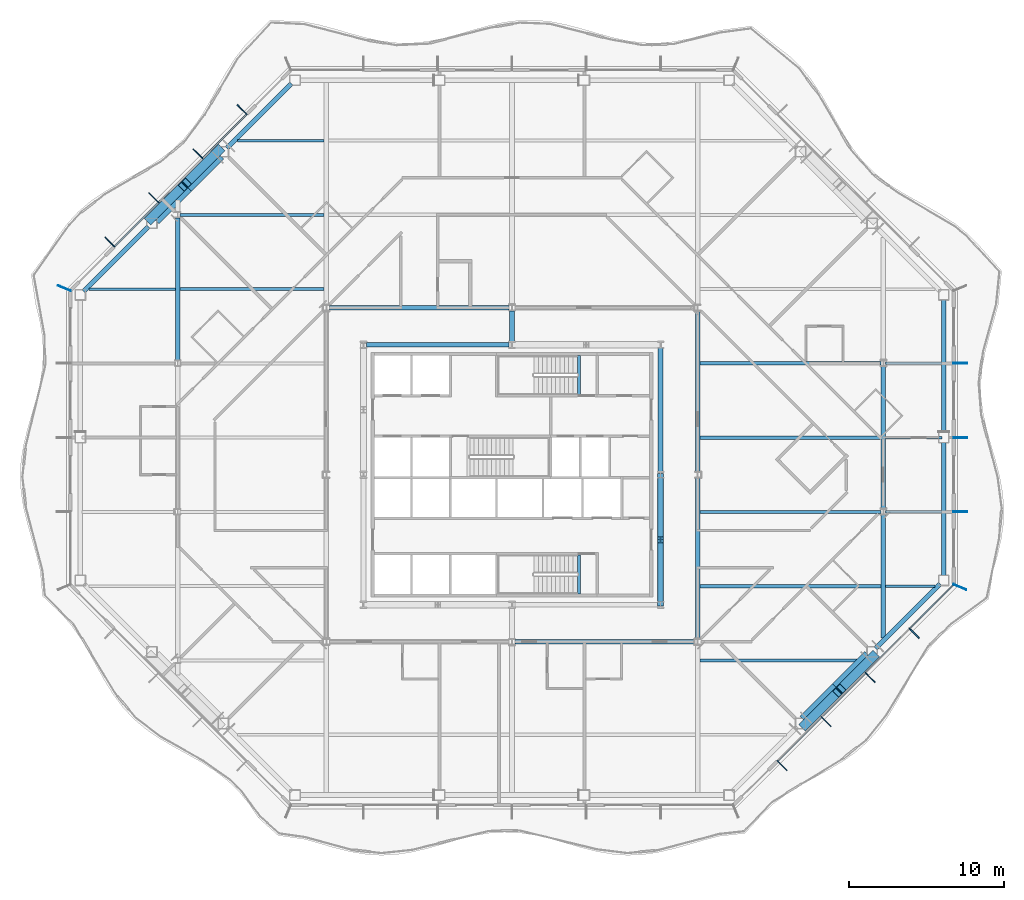
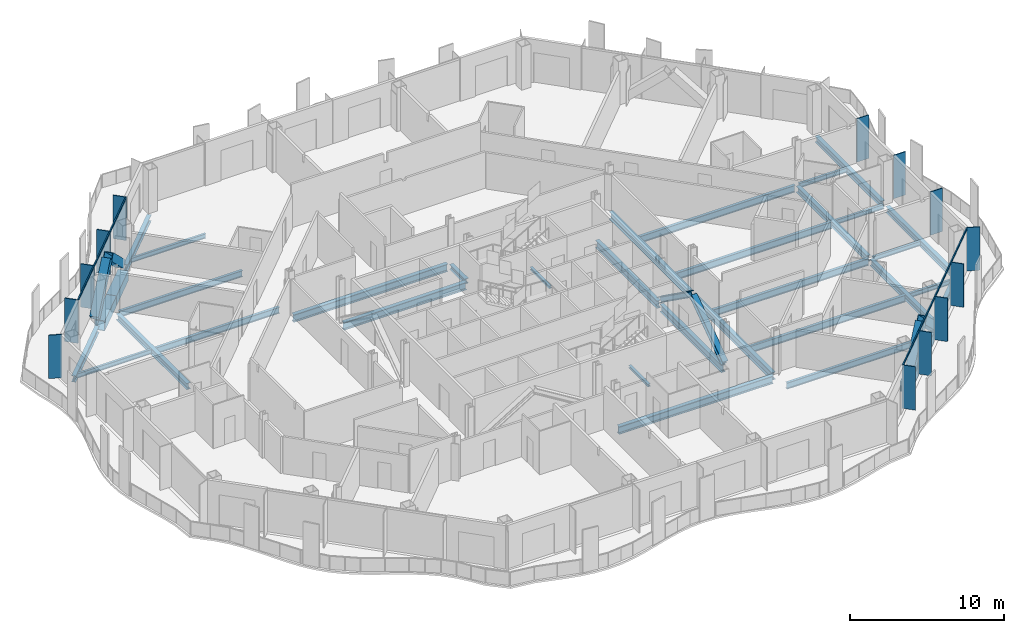
# One storey, part 4 of 21: 35 beams, 26 members, 4 elements without a shape of their own.
"""IFC4 building model written with IfcOpenShell, lengths in metres."""

from ifc_helpers import new_model, si_unit, direction, frame, origin, origin_2d, place, context, subcontext, project, spatial, rectangle, hollow_rectangle, i_section, extrude, material, material_profile, profile_set, type_object, element, aggregate, save


model = new_model("IFC4")

# Units and contexts
model_context = context("Model", 3, precision=1e-05, world=origin(), true_north=direction((0.0, 1.0)))
body_context = subcontext(model_context, "Body", "Model", "MODEL_VIEW")
ifc_project = project(units=[si_unit("LENGTHUNIT", "METRE"), si_unit("AREAUNIT", "SQUARE_METRE"), si_unit("VOLUMEUNIT", "CUBIC_METRE"), si_unit("PLANEANGLEUNIT", "RADIAN"), si_unit("MASSUNIT", "GRAM", prefix="KILO")], contexts=[model_context])

# Site, building, storey
site_placement = place(None, origin())
site = spatial("IfcSite", under=ifc_project, at=site_placement, CompositionType="ELEMENT")
building_placement = place(site_placement, origin())
building = spatial("IfcBuilding", under=site, at=building_placement, Name="Cairn Pilgrim Tower", CompositionType="ELEMENT")
storey_placement = place(building_placement, frame((0.0, 0.0, 129.0)))
storey = spatial("IfcBuildingStorey", under=building, at=storey_placement, Name="L31", CompositionType="ELEMENT", Elevation=129.0)

# Members
ifc_material_1 = material(Name="Structural steel S460M", Category="steel")
ifc_material_profile_1 = material_profile(ifc_material_1, hollow_rectangle(XDim=0.60009765625, YDim=0.60009765625, WallThickness=0.034912109375, at=origin_2d()), Name="BOX 600x600x35")
ifc_profile_set_1 = profile_set([ifc_material_profile_1], Name="Structural steel S460M")
member_type_1 = type_object("IfcMemberType", Name="BOX 600x600x35 BRACE", PredefinedType="BRACE", material=ifc_profile_set_1)
for number, where, z_axis, x_axis, name in (
    (1, (26.08837890625, -13.813720703125, 0.14990234375), (0.535555986925, 0.535555986925, 0.652962150311), (-0.707106781187, 0.707106781187, 0.0), "XB-SE2-SE3-1"),
    (2, (30.613525390625, -9.288330078125, 0.14990234375), (-0.535512846393, -0.535573335815, 0.652983302476), (0.707146713802, -0.707066846316, 0.0), "XB-SE2-SE3-2"),
):
    element("IfcMember", number, at=place(storey_placement, frame(where, z_axis=z_axis, x_axis=x_axis)), inside=storey, type_object=member_type_1, Name=name, PredefinedType="BRACE", context=body_context, shape_type="SweptSolid", body=[
        extrude(hollow_rectangle(XDim=0.60009765625, YDim=0.60009765625, WallThickness=0.034912109375, at=origin_2d()), origin(), (0.0, 0.0, 1.0), 4.0361328125),
    ])
member_1_placement = place(storey_placement, frame((-11.6884765625, 23.41357421875, 0.14990234375), z_axis=(-0.53553019501, -0.53553019501, 0.653004456696), x_axis=(0.707106781187, -0.707106781187, 0.0)))
element("IfcMember", 3, at=member_1_placement, inside=storey, type_object=member_type_1, Name="XB-NW2-NW3-1", PredefinedType="BRACE", context=body_context, shape_type="SweptSolid", body=[
    extrude(hollow_rectangle(XDim=0.60009765625, YDim=0.60009765625, WallThickness=0.034912109375, at=origin_2d()), origin(), (0.0, 0.0, 1.0), 4.035888671875),
])
member_2_placement = place(storey_placement, frame((-16.213623046875, 18.888427734375, 0.14990234375), z_axis=(0.535573335815, 0.535512846393, 0.652983302476), x_axis=(-0.707066846316, 0.707146713802, 0.0)))
element("IfcMember", 4, at=member_2_placement, inside=storey, type_object=member_type_1, Name="XB-NW2-NW3-2", PredefinedType="BRACE", context=body_context, shape_type="SweptSolid", body=[
    extrude(hollow_rectangle(XDim=0.60009765625, YDim=0.60009765625, WallThickness=0.034912109375, at=origin_2d()), origin(), (0.0, 0.0, 1.0), 4.0361328125),
])

# Beams
ifc_material_2 = material(Name="Structural steel S355J2", Category="steel")
ifc_material_profile_2 = material_profile(ifc_material_2, hollow_rectangle(XDim=0.699951171875, YDim=0.800048828125, WallThickness=0.0400390625, at=origin_2d()), Name="BOX 700x800x40")
ifc_profile_set_2 = profile_set([ifc_material_profile_2], Name="Structural steel S355J2")
beam_type_1 = type_object("IfcBeamType", Name="BOX 700x800x40 RING GIRDER", PredefinedType="SPANDREL", material=ifc_profile_set_2)
for number, where, z_axis, x_axis, name in (
    (5, (26.07421875, -13.452880859375, -0.550048828125), (0.707106781187, 0.707106781187, 0.0), (-0.707106781187, 0.707106781187, 0.0), "RG2-SE2-SE3-1"),
    (6, (28.16357421875, -11.363525390625, -0.550048828125), (0.707106781187, 0.707106781187, 0.0), (-0.707106781187, 0.707106781187, 0.0), "RG2-SE2-SE3-2"),
    (7, (-11.67431640625, 23.052978515625, -0.550048828125), (-0.707106781187, -0.707106781187, 0.0), (0.707106781187, -0.707106781187, 0.0), "RG2-NW2-NW3-1"),
    (8, (-13.763671875, 20.963623046875, -0.550048828125), (-0.707106781187, -0.707106781187, 0.0), (0.707106781187, -0.707106781187, 0.0), "RG2-NW2-NW3-2"),
):
    element("IfcBeam", number, at=place(storey_placement, frame(where, z_axis=z_axis, x_axis=x_axis)), inside=storey, type_object=beam_type_1, Name=name, PredefinedType="SPANDREL", context=body_context, shape_type="SweptSolid", body=[
        extrude(hollow_rectangle(XDim=0.699951171875, YDim=0.800048828125, WallThickness=0.0400390625, at=origin_2d()), origin(), (0.0, 0.0, 1.0), 2.954833984375),
    ])

# Curtain wall, members
ifc_material_3 = material(Name="Aluminium alloy 6063-T6 bronze anodised with Bronze tinted laminated low-E glass 8+16+8.8", Category="aluminium")
curtain_wall_type_1 = type_object("IfcCurtainWallType", Name="CHAMFER CORNER CURTAIN WALL", PredefinedType="NOTDEFINED", material=ifc_material_3)
curtain_wall_1_placement = place(storey_placement, origin())
curtain_wall_1 = element("IfcCurtainWall", 9, at=curtain_wall_1_placement, inside=storey, type_object=curtain_wall_type_1, Name="Chamfer Corner Curtain Wall SE", PredefinedType="NOTDEFINED")
ifc_material_4 = material(Name="Aluminium alloy 6063-T6 bronze anodised", Category="aluminium")
ifc_material_profile_3 = material_profile(ifc_material_4, rectangle(XDim=0.89990234375, YDim=0.06005859375, at=origin_2d()), Name="FIN MULLION 60x900 BRONZE")
ifc_profile_set_3 = profile_set([ifc_material_profile_3], Name="Aluminium alloy 6063-T6 bronze anodised")
member_type_2 = type_object("IfcMemberType", Name="FIN MULLION 60x900 BRONZE", PredefinedType="MULLION", material=ifc_profile_set_3)
member_3_placement = place(storey_placement, frame((24.64404296875, -16.396240234375, 0.0), z_axis=(0.0, 0.0, 1.0), x_axis=(0.707106781187, -0.707106781187, 0.0)))
member_3 = element("IfcMember", 10, at=member_3_placement, type_object=member_type_2, Name="Fin mullion SE2", PredefinedType="MULLION", context=body_context, shape_type="SweptSolid", body=[
    extrude(rectangle(XDim=0.89990234375, YDim=0.06005859375, at=origin_2d()), origin(), (0.0, 0.0, 1.0), 3.449951171875),
])
member_4_placement = place(storey_placement, frame((27.494873046875, -13.545654296875, 0.0), z_axis=(0.0, 0.0, 1.0), x_axis=(0.707106781187, -0.707106781187, 0.0)))
member_4 = element("IfcMember", 11, at=member_4_placement, type_object=member_type_2, Name="Fin mullion SE3", PredefinedType="MULLION", context=body_context, shape_type="SweptSolid", body=[
    extrude(rectangle(XDim=0.89990234375, YDim=0.06005859375, at=origin_2d()), origin(), (0.0, 0.0, 1.0), 3.449951171875),
])
member_5_placement = place(storey_placement, frame((30.345458984375, -10.69482421875, 0.0), z_axis=(0.0, 0.0, 1.0), x_axis=(0.707106781187, -0.707106781187, 0.0)))
member_5 = element("IfcMember", 12, at=member_5_placement, type_object=member_type_2, Name="Fin mullion SE4", PredefinedType="MULLION", context=body_context, shape_type="SweptSolid", body=[
    extrude(rectangle(XDim=0.89990234375, YDim=0.06005859375, at=origin_2d()), origin(), (0.0, 0.0, 1.0), 3.449951171875),
])
member_6_placement = place(storey_placement, frame((33.1962890625, -7.84423828125, 0.0), z_axis=(0.0, 0.0, 1.0), x_axis=(0.707106781187, -0.707106781187, 0.0)))
member_6 = element("IfcMember", 13, at=member_6_placement, type_object=member_type_2, Name="Fin mullion SE5", PredefinedType="MULLION", context=body_context, shape_type="SweptSolid", body=[
    extrude(rectangle(XDim=0.89990234375, YDim=0.06005859375, at=origin_2d()), origin(), (0.0, 0.0, 1.0), 3.449951171875),
])

curtain_wall_type_2 = type_object("IfcCurtainWallType", Name="TOWER STICK CURTAIN WALL EW", PredefinedType="NOTDEFINED", material=ifc_material_3)
curtain_wall_2_placement = place(storey_placement, origin())
curtain_wall_2 = element("IfcCurtainWall", 14, at=curtain_wall_2_placement, inside=storey, type_object=curtain_wall_type_2, Name="Tower Stick Curtain Wall Ew E", PredefinedType="NOTDEFINED")
member_7_placement = place(storey_placement, frame((36.137939453125, -4.857177734375, 0.0), z_axis=(0.0, 0.0, 1.0), x_axis=(0.923879532511, -0.382683432365, 0.0)))
member_7 = element("IfcMember", 15, at=member_7_placement, type_object=member_type_2, Name="Fin mullion E1", PredefinedType="MULLION", context=body_context, shape_type="SweptSolid", body=[
    extrude(rectangle(XDim=0.89990234375, YDim=0.06005859375, at=origin_2d()), origin(), (0.0, 0.0, 1.0), 3.449951171875),
])
member_8_placement = place(storey_placement, frame((36.169921875, 0.0, 0.0), z_axis=(0.0, 0.0, 1.0), x_axis=(1.0, 0.0, 0.0)))
member_8 = element("IfcMember", 16, at=member_8_placement, type_object=member_type_2, Name="Fin mullion E2", PredefinedType="MULLION", context=body_context, shape_type="SweptSolid", body=[
    extrude(rectangle(XDim=0.89990234375, YDim=0.06005859375, at=origin_2d()), origin(), (0.0, 0.0, 1.0), 3.449951171875),
])
member_9_placement = place(storey_placement, frame((36.169921875, 4.800048828125, 0.0), z_axis=(0.0, 0.0, 1.0), x_axis=(1.0, 0.0, 0.0)))
member_9 = element("IfcMember", 17, at=member_9_placement, type_object=member_type_2, Name="Fin mullion E3", PredefinedType="MULLION", context=body_context, shape_type="SweptSolid", body=[
    extrude(rectangle(XDim=0.89990234375, YDim=0.06005859375, at=origin_2d()), origin(), (0.0, 0.0, 1.0), 3.449951171875),
])
member_10_placement = place(storey_placement, frame((36.169921875, 9.60009765625, 0.0), z_axis=(0.0, 0.0, 1.0), x_axis=(1.0, 0.0, 0.0)))
member_10 = element("IfcMember", 18, at=member_10_placement, type_object=member_type_2, Name="Fin mullion E4", PredefinedType="MULLION", context=body_context, shape_type="SweptSolid", body=[
    extrude(rectangle(XDim=0.89990234375, YDim=0.06005859375, at=origin_2d()), origin(), (0.0, 0.0, 1.0), 3.449951171875),
])
aggregate(curtain_wall_2, [member_7, member_8, member_9, member_10])

curtain_wall_3_placement = place(storey_placement, origin())
curtain_wall_3 = element("IfcCurtainWall", 19, at=curtain_wall_3_placement, inside=storey, type_object=curtain_wall_type_1, Name="Chamfer Corner Curtain Wall NW", PredefinedType="NOTDEFINED")
member_11_placement = place(storey_placement, frame((-10.244140625, 25.996337890625, 0.0), z_axis=(0.0, 0.0, 1.0), x_axis=(-0.707106781187, 0.707106781187, 0.0)))
member_11 = element("IfcMember", 20, at=member_11_placement, type_object=member_type_2, Name="Fin mullion NW2", PredefinedType="MULLION", context=body_context, shape_type="SweptSolid", body=[
    extrude(rectangle(XDim=0.89990234375, YDim=0.06005859375, at=origin_2d()), origin(), (0.0, 0.0, 1.0), 3.449951171875),
])
member_12_placement = place(storey_placement, frame((-13.094970703125, 23.1455078125, 0.0), z_axis=(0.0, 0.0, 1.0), x_axis=(-0.707106781187, 0.707106781187, 0.0)))
member_12 = element("IfcMember", 21, at=member_12_placement, type_object=member_type_2, Name="Fin mullion NW3", PredefinedType="MULLION", context=body_context, shape_type="SweptSolid", body=[
    extrude(rectangle(XDim=0.89990234375, YDim=0.06005859375, at=origin_2d()), origin(), (0.0, 0.0, 1.0), 3.449951171875),
])
member_13_placement = place(storey_placement, frame((-15.945556640625, 20.294921875, 0.0), z_axis=(0.0, 0.0, 1.0), x_axis=(-0.707106781187, 0.707106781187, 0.0)))
member_13 = element("IfcMember", 22, at=member_13_placement, type_object=member_type_2, Name="Fin mullion NW4", PredefinedType="MULLION", context=body_context, shape_type="SweptSolid", body=[
    extrude(rectangle(XDim=0.89990234375, YDim=0.06005859375, at=origin_2d()), origin(), (0.0, 0.0, 1.0), 3.449951171875),
])
member_14_placement = place(storey_placement, frame((-18.79638671875, 17.444091796875, 0.0), z_axis=(0.0, 0.0, 1.0), x_axis=(-0.707106781187, 0.707106781187, 0.0)))
member_14 = element("IfcMember", 23, at=member_14_placement, type_object=member_type_2, Name="Fin mullion NW5", PredefinedType="MULLION", context=body_context, shape_type="SweptSolid", body=[
    extrude(rectangle(XDim=0.89990234375, YDim=0.06005859375, at=origin_2d()), origin(), (0.0, 0.0, 1.0), 3.449951171875),
])

# Curtain wall, member
curtain_wall_4_placement = place(storey_placement, origin())
curtain_wall_4 = element("IfcCurtainWall", 24, at=curtain_wall_4_placement, inside=storey, type_object=curtain_wall_type_2, Name="Tower Stick Curtain Wall Ew W", PredefinedType="NOTDEFINED")
member_15_placement = place(storey_placement, frame((-21.738037109375, 14.457275390625, 0.0), z_axis=(0.0, 0.0, 1.0), x_axis=(-0.923879532511, 0.382683432365, 0.0)))
member_15 = element("IfcMember", 25, at=member_15_placement, type_object=member_type_2, Name="Fin mullion W1", PredefinedType="MULLION", context=body_context, shape_type="SweptSolid", body=[
    extrude(rectangle(XDim=0.89990234375, YDim=0.06005859375, at=origin_2d()), origin(), (0.0, 0.0, 1.0), 3.449951171875),
])
aggregate(curtain_wall_4, [member_15])

# Members
ifc_material_profile_4 = material_profile(ifc_material_1, i_section(OverallWidth=0.408935546875, OverallDepth=0.425048828125, WebThickness=0.03271484375, FlangeThickness=0.052490234375, FilletRadius=0.014892578125, at=origin_2d()), Name="HD 400x421")
ifc_profile_set_4 = profile_set([ifc_material_profile_4], Name="Structural steel S460M")
member_type_3 = type_object("IfcMemberType", Name="HD 400x421 BRACE", PredefinedType="BRACE", material=ifc_profile_set_4)
for number, where, z_axis, x_axis, name in (
    (26, (16.800048828125, -5.95751953125, 0.10009765625), (0.0, 0.814281054922, 0.58047081201), (-1.0, 0.0, 0.0), "KB-2A"),
    (27, (16.800048828125, 2.357666015625, 0.10009765625), (0.0, -0.814281054922, 0.58047081201), (1.0, 0.0, 0.0), "KB-2B"),
):
    element("IfcMember", number, at=place(storey_placement, frame(where, z_axis=z_axis, x_axis=x_axis)), inside=storey, type_object=member_type_3, Name=name, PredefinedType="BRACE", context=body_context, shape_type="SweptSolid", body=[
        extrude(i_section(OverallWidth=0.408935546875, OverallDepth=0.425048828125, WebThickness=0.03271484375, FlangeThickness=0.052490234375, FilletRadius=0.014892578125, at=origin_2d()), origin(), (0.0, 0.0, 1.0), 4.99755859375),
    ])

# Beams
ifc_material_profile_5 = material_profile(ifc_material_2, i_section(OverallWidth=0.300048828125, OverallDepth=0.39990234375, WebThickness=0.013427734375, FlangeThickness=0.02392578125, FilletRadius=0.027099609375, at=origin_2d()), Name="HEB 400")
ifc_profile_set_5 = profile_set([ifc_material_profile_5], Name="Structural steel S355J2")
beam_type_2 = type_object("IfcBeamType", Name="HEB 400 GIRDER", PredefinedType="BEAM", material=ifc_profile_set_5)
beam_1_placement = place(storey_placement, frame((7.199951171875, 11.011962890625, -0.35009765625), z_axis=(0.0, 1.0, 0.0), x_axis=(-1.0, 0.0, 0.0)))
element("IfcBeam", 28, at=beam_1_placement, inside=storey, type_object=beam_type_2, Name="PG3-E2", PredefinedType="BEAM", context=body_context, shape_type="SweptSolid", body=[
    extrude(i_section(OverallWidth=0.300048828125, OverallDepth=0.39990234375, WebThickness=0.013427734375, FlangeThickness=0.02392578125, FilletRadius=0.027099609375, at=origin_2d()), origin(), (0.0, 0.0, 1.0), 1.983642578125),
])
ifc_material_profile_6 = material_profile(ifc_material_2, i_section(OverallWidth=0.300048828125, OverallDepth=0.5, WebThickness=0.014404296875, FlangeThickness=0.028076171875, FilletRadius=0.027099609375, at=origin_2d()), Name="HEB 500")
ifc_profile_set_6 = profile_set([ifc_material_profile_6], Name="Structural steel S355J2")
beam_type_3 = type_object("IfcBeamType", Name="HEB 500 GIRDER", PredefinedType="BEAM", material=ifc_profile_set_6)
beam_2_placement = place(storey_placement, frame((-14.39990234375, 9.799560546875, -0.39990234375), z_axis=(0.0, 1.0, 0.0), x_axis=(-1.0, 0.0, 0.0)))
element("IfcBeam", 29, at=beam_2_placement, inside=storey, type_object=beam_type_3, Name="PG1-3", PredefinedType="BEAM", context=body_context, shape_type="SweptSolid", body=[
    extrude(i_section(OverallWidth=0.300048828125, OverallDepth=0.5, WebThickness=0.014404296875, FlangeThickness=0.028076171875, FilletRadius=0.027099609375, at=origin_2d()), origin(), (0.0, 0.0, 1.0), 9.200927734375),
])
beam_3_placement = place(storey_placement, frame((31.199951171875, -8.14501953125, -0.39990234375), z_axis=(0.0, 1.0, 0.0), x_axis=(-1.0, 0.0, 0.0)))
element("IfcBeam", 30, at=beam_3_placement, inside=storey, type_object=beam_type_3, Name="PG5-1", PredefinedType="BEAM", context=body_context, shape_type="SweptSolid", body=[
    extrude(i_section(OverallWidth=0.300048828125, OverallDepth=0.5, WebThickness=0.014404296875, FlangeThickness=0.028076171875, FilletRadius=0.027099609375, at=origin_2d()), origin(), (0.0, 0.0, 1.0), 7.9404296875),
])
beam_4_placement = place(storey_placement, frame((31.199951171875, 0.20458984375, -0.39990234375), z_axis=(0.0, 1.0, 0.0), x_axis=(-1.0, 0.0, 0.0)))
element("IfcBeam", 31, at=beam_4_placement, inside=storey, type_object=beam_type_3, Name="PG5-2", PredefinedType="BEAM", context=body_context, shape_type="SweptSolid", body=[
    extrude(i_section(OverallWidth=0.300048828125, OverallDepth=0.5, WebThickness=0.014404296875, FlangeThickness=0.028076171875, FilletRadius=0.027099609375, at=origin_2d()), origin(), (0.0, 0.0, 1.0), 9.19091796875),
])
ifc_material_profile_7 = material_profile(ifc_material_2, i_section(OverallWidth=0.300048828125, OverallDepth=0.5, WebThickness=0.014404296875, FlangeThickness=0.028076171875, FilletRadius=0.027099609375, at=origin_2d()), Name="HEB 500")
ifc_profile_set_7 = profile_set([ifc_material_profile_7], Name="Structural steel S355J2")
beam_type_4 = type_object("IfcBeamType", Name="HEB 500 RING GIRDER", PredefinedType="SPANDREL", material=ifc_profile_set_7)
beam_5_placement = place(storey_placement, frame((30.698486328125, -8.82861328125, -0.39990234375), z_axis=(0.707106781187, 0.707106781187, 0.0), x_axis=(-0.707106781187, 0.707106781187, 0.0)))
element("IfcBeam", 32, at=beam_5_placement, inside=storey, type_object=beam_type_4, Name="RG2-SE3-E1", PredefinedType="SPANDREL", context=body_context, shape_type="SweptSolid", body=[
    extrude(i_section(OverallWidth=0.300048828125, OverallDepth=0.5, WebThickness=0.014404296875, FlangeThickness=0.028076171875, FilletRadius=0.027099609375, at=origin_2d()), origin(), (0.0, 0.0, 1.0), 5.90966796875),
])
beam_6_placement = place(storey_placement, frame((35.10009765625, -4.1123046875, -0.39990234375), z_axis=(0.0, 1.0, 0.0), x_axis=(-1.0, 0.0, 0.0)))
element("IfcBeam", 33, at=beam_6_placement, inside=storey, type_object=beam_type_4, Name="RG2-E1-E2", PredefinedType="SPANDREL", context=body_context, shape_type="SweptSolid", body=[
    extrude(i_section(OverallWidth=0.300048828125, OverallDepth=0.5, WebThickness=0.014404296875, FlangeThickness=0.028076171875, FilletRadius=0.027099609375, at=origin_2d()), origin(), (0.0, 0.0, 1.0), 8.597412109375),
])
beam_7_placement = place(storey_placement, frame((35.10009765625, 5.114990234375, -0.39990234375), z_axis=(0.0, 1.0, 0.0), x_axis=(-1.0, 0.0, 0.0)))
element("IfcBeam", 34, at=beam_7_placement, inside=storey, type_object=beam_type_4, Name="RG2-E2-NE1", PredefinedType="SPANDREL", context=body_context, shape_type="SweptSolid", body=[
    extrude(i_section(OverallWidth=0.300048828125, OverallDepth=0.5, WebThickness=0.014404296875, FlangeThickness=0.028076171875, FilletRadius=0.027099609375, at=origin_2d()), origin(), (0.0, 0.0, 1.0), 8.59716796875),
])
for number, where, z_axis, x_axis, name in (
    (35, (-7.0498046875, 27.67724609375, -0.39990234375), (-0.707127436591, -0.707086125179, 0.0), (0.707086125179, -0.707127436591, 0.0), "RG2-NW1-NW2"),
    (36, (-16.298583984375, 18.4287109375, -0.39990234375), (-0.707106781187, -0.707106781187, 0.0), (0.707106781187, -0.707106781187, 0.0), "RG2-NW3-W1"),
):
    element("IfcBeam", number, at=place(storey_placement, frame(where, z_axis=z_axis, x_axis=x_axis)), inside=storey, type_object=beam_type_4, Name=name, PredefinedType="SPANDREL", context=body_context, shape_type="SweptSolid", body=[
        extrude(i_section(OverallWidth=0.300048828125, OverallDepth=0.5, WebThickness=0.014404296875, FlangeThickness=0.028076171875, FilletRadius=0.027099609375, at=origin_2d()), origin(), (0.0, 0.0, 1.0), 5.90966796875),
    ])
ifc_material_profile_8 = material_profile(ifc_material_2, i_section(OverallWidth=0.300048828125, OverallDepth=0.60009765625, WebThickness=0.015380859375, FlangeThickness=0.030029296875, FilletRadius=0.027099609375, at=origin_2d()), Name="HEB 600")
ifc_profile_set_8 = profile_set([ifc_material_profile_8], Name="Structural steel S355J2")
beam_type_5 = type_object("IfcBeamType", Name="HEB 600 CORE BEAM", PredefinedType="BEAM", material=ifc_profile_set_8)
for number, where, z_axis, x_axis, name in (
    (37, (16.800048828125, -5.80908203125, -0.449951171875), (0.0, 1.0, 0.0), (-1.0, 0.0, 0.0), "CB-3"),
    (38, (16.800048828125, 2.5908203125, -0.449951171875), (0.0, 1.0, 0.0), (-1.0, 0.0, 0.0), "CB-4"),
):
    element("IfcBeam", number, at=place(storey_placement, frame(where, z_axis=z_axis, x_axis=x_axis)), inside=storey, type_object=beam_type_5, Name=name, PredefinedType="BEAM", context=body_context, shape_type="SweptSolid", body=[
        extrude(i_section(OverallWidth=0.300048828125, OverallDepth=0.60009765625, WebThickness=0.015380859375, FlangeThickness=0.030029296875, FilletRadius=0.027099609375, at=origin_2d()), origin(), (0.0, 0.0, 1.0), 8.018310546875),
    ])
beam_8_placement = place(storey_placement, frame((7.00927734375, 10.800048828125, -0.449951171875), z_axis=(-1.0, 0.0, 0.0), x_axis=(0.0, -1.0, 0.0)))
element("IfcBeam", 39, at=beam_8_placement, inside=storey, type_object=beam_type_5, Name="CB-6", PredefinedType="BEAM", context=body_context, shape_type="SweptSolid", body=[
    extrude(i_section(OverallWidth=0.300048828125, OverallDepth=0.60009765625, WebThickness=0.015380859375, FlangeThickness=0.030029296875, FilletRadius=0.027099609375, at=origin_2d()), origin(), (0.0, 0.0, 1.0), 9.218505859375),
])
ifc_material_profile_9 = material_profile(ifc_material_2, i_section(OverallWidth=0.300048828125, OverallDepth=0.60009765625, WebThickness=0.015380859375, FlangeThickness=0.030029296875, FilletRadius=0.027099609375, at=origin_2d()), Name="HEB 600")
ifc_profile_set_9 = profile_set([ifc_material_profile_9], Name="Structural steel S355J2")
beam_type_6 = type_object("IfcBeamType", Name="HEB 600 GIRDER", PredefinedType="BEAM", material=ifc_profile_set_9)
for number, where, z_axis, x_axis, name in (
    (40, (19.199951171875, -8.195556640625, -0.449951171875), (0.0, 1.0, 0.0), (-1.0, 0.0, 0.0), "PG4-2"),
    (41, (19.199951171875, 2.6044921875, -0.449951171875), (0.0, 1.0, 0.0), (-1.0, 0.0, 0.0), "PG4-3"),
):
    element("IfcBeam", number, at=place(storey_placement, frame(where, z_axis=z_axis, x_axis=x_axis)), inside=storey, type_object=beam_type_6, Name=name, PredefinedType="BEAM", context=body_context, shape_type="SweptSolid", body=[
        extrude(i_section(OverallWidth=0.300048828125, OverallDepth=0.60009765625, WebThickness=0.015380859375, FlangeThickness=0.030029296875, FilletRadius=0.027099609375, at=origin_2d()), origin(), (0.0, 0.0, 1.0), 10.39111328125),
    ])
ifc_material_profile_10 = material_profile(ifc_material_2, i_section(OverallWidth=0.300048828125, OverallDepth=0.60009765625, WebThickness=0.015380859375, FlangeThickness=0.030029296875, FilletRadius=0.027099609375, at=origin_2d()), Name="HEB 600")
ifc_profile_set_10 = profile_set([ifc_material_profile_10], Name="Structural steel S355J2")
beam_type_7 = type_object("IfcBeamType", Name="HEB 600 INNER GIRDER", PredefinedType="BEAM", material=ifc_profile_set_10)
for number, where, z_axis, x_axis, name in (
    (42, (7.404541015625, -8.39990234375, -0.449951171875), (1.0, 0.0, 0.0), (0.0, 1.0, 0.0), "IG1-2"),
    (43, (-4.595458984375, 13.199951171875, -0.449951171875), (1.0, 0.0, 0.0), (0.0, 1.0, 0.0), "IG2-1"),
):
    element("IfcBeam", number, at=place(storey_placement, frame(where, z_axis=z_axis, x_axis=x_axis)), inside=storey, type_object=beam_type_7, Name=name, PredefinedType="BEAM", context=body_context, shape_type="SweptSolid", body=[
        extrude(i_section(OverallWidth=0.300048828125, OverallDepth=0.60009765625, WebThickness=0.015380859375, FlangeThickness=0.030029296875, FilletRadius=0.027099609375, at=origin_2d()), origin(), (0.0, 0.0, 1.0), 11.591064453125),
    ])
ifc_material_profile_11 = material_profile(ifc_material_2, i_section(OverallWidth=0.169921875, OverallDepth=0.360107421875, WebThickness=0.008056640625, FlangeThickness=0.0126953125, FilletRadius=0.01806640625, at=origin_2d()), Name="IPE 360")
ifc_profile_set_11 = profile_set([ifc_material_profile_11], Name="Structural steel S355J2")
beam_type_8 = type_object("IfcBeamType", Name="IPE 360 SECONDARY BEAM", PredefinedType="JOIST", material=ifc_profile_set_11)
beam_9_placement = place(storey_placement, frame((31.35009765625, -4.800048828125, -0.330078125), z_axis=(1.0, 0.0, 0.0), x_axis=(0.0, 1.0, 0.0)))
element("IfcBeam", 44, at=beam_9_placement, inside=storey, type_object=beam_type_8, Name="SB3-4", PredefinedType="JOIST", context=body_context, shape_type="SweptSolid", body=[
    extrude(i_section(OverallWidth=0.169921875, OverallDepth=0.360107421875, WebThickness=0.008056640625, FlangeThickness=0.0126953125, FilletRadius=0.01806640625, at=origin_2d()), origin(), (0.0, 0.0, 1.0), 3.195068359375),
])
for number, where, z_axis, x_axis, name in (
    (45, (31.35009765625, 0.0, -0.330078125), (1.0, 0.0, 0.0), (0.0, 1.0, 0.0), "SB4-4"),
    (46, (31.35009765625, 4.800048828125, -0.330078125), (1.0, 0.0, 0.0), (0.0, 1.0, 0.0), "SB5-4"),
    (47, (31.35009765625, 9.60009765625, -0.330078125), (1.0, 0.0, 0.0), (0.0, 1.0, 0.0), "SB6-4"),
):
    element("IfcBeam", number, at=place(storey_placement, frame(where, z_axis=z_axis, x_axis=x_axis)), inside=storey, type_object=beam_type_8, Name=name, PredefinedType="JOIST", context=body_context, shape_type="SweptSolid", body=[
        extrude(i_section(OverallWidth=0.169921875, OverallDepth=0.360107421875, WebThickness=0.008056640625, FlangeThickness=0.0126953125, FilletRadius=0.01806640625, at=origin_2d()), origin(), (0.0, 0.0, 1.0), 3.6298828125),
    ])
beam_10_placement = place(storey_placement, frame((-20.14501953125, 14.39990234375, -0.330078125), z_axis=(1.0, 0.0, 0.0), x_axis=(0.0, 1.0, 0.0)))
element("IfcBeam", 48, at=beam_10_placement, inside=storey, type_object=beam_type_8, Name="SB7-1", PredefinedType="JOIST", context=body_context, shape_type="SweptSolid", body=[
    extrude(i_section(OverallWidth=0.169921875, OverallDepth=0.360107421875, WebThickness=0.008056640625, FlangeThickness=0.0126953125, FilletRadius=0.01806640625, at=origin_2d()), origin(), (0.0, 0.0, 1.0), 5.594970703125),
])
beam_11_placement = place(storey_placement, frame((-10.545166015625, 24.0, -0.330078125), z_axis=(1.0, 0.0, 0.0), x_axis=(0.0, 1.0, 0.0)))
element("IfcBeam", 49, at=beam_11_placement, inside=storey, type_object=beam_type_8, Name="SB9-1", PredefinedType="JOIST", context=body_context, shape_type="SweptSolid", body=[
    extrude(i_section(OverallWidth=0.169921875, OverallDepth=0.360107421875, WebThickness=0.008056640625, FlangeThickness=0.0126953125, FilletRadius=0.01806640625, at=origin_2d()), origin(), (0.0, 0.0, 1.0), 5.59521484375),
])
ifc_material_profile_12 = material_profile(ifc_material_2, i_section(OverallWidth=0.199951171875, OverallDepth=0.5, WebThickness=0.01025390625, FlangeThickness=0.01611328125, FilletRadius=0.02099609375, at=origin_2d()), Name="IPE 500")
ifc_profile_set_12 = profile_set([ifc_material_profile_12], Name="Structural steel S355J2")
beam_type_9 = type_object("IfcBeamType", Name="IPE 500 SECONDARY BEAM", PredefinedType="JOIST", material=ifc_profile_set_12)
beam_12_placement = place(storey_placement, frame((19.35009765625, -9.60009765625, -0.39990234375), z_axis=(1.0, 0.0, 0.0), x_axis=(0.0, 1.0, 0.0)))
element("IfcBeam", 50, at=beam_12_placement, inside=storey, type_object=beam_type_9, Name="SB2-2", PredefinedType="JOIST", context=body_context, shape_type="SweptSolid", body=[
    extrude(i_section(OverallWidth=0.199951171875, OverallDepth=0.5, WebThickness=0.01025390625, FlangeThickness=0.01611328125, FilletRadius=0.02099609375, at=origin_2d()), origin(), (0.0, 0.0, 1.0), 10.39501953125),
])
for number, where, z_axis, x_axis, name in (
    (51, (-14.25, 14.39990234375, -0.39990234375), (1.0, 0.0, 0.0), (0.0, 1.0, 0.0), "SB7-2"),
    (52, (-14.25, 19.199951171875, -0.39990234375), (1.0, 0.0, 0.0), (0.0, 1.0, 0.0), "SB8-1"),
):
    element("IfcBeam", number, at=place(storey_placement, frame(where, z_axis=z_axis, x_axis=x_axis)), inside=storey, type_object=beam_type_9, Name=name, PredefinedType="JOIST", context=body_context, shape_type="SweptSolid", body=[
        extrude(i_section(OverallWidth=0.199951171875, OverallDepth=0.5, WebThickness=0.01025390625, FlangeThickness=0.01611328125, FilletRadius=0.02099609375, at=origin_2d()), origin(), (0.0, 0.0, 1.0), 9.300048828125),
    ])
ifc_material_profile_13 = material_profile(ifc_material_2, i_section(OverallWidth=0.2099609375, OverallDepth=0.550048828125, WebThickness=0.010986328125, FlangeThickness=0.01708984375, FilletRadius=0.02392578125, at=origin_2d()), Name="IPE 550")
ifc_profile_set_13 = profile_set([ifc_material_profile_13], Name="Structural steel S355J2")
beam_type_10 = type_object("IfcBeamType", Name="IPE 550 SECONDARY BEAM", PredefinedType="JOIST", material=ifc_profile_set_13)
for number, where, z_axis, x_axis, name in (
    (53, (19.35009765625, -4.800048828125, -0.425048828125), (1.0, 0.0, 0.0), (0.0, 1.0, 0.0), "SB3-3"),
    (54, (19.35009765625, 0.0, -0.425048828125), (1.0, 0.0, 0.0), (0.0, 1.0, 0.0), "SB4-3"),
    (55, (19.35009765625, 4.800048828125, -0.425048828125), (1.0, 0.0, 0.0), (0.0, 1.0, 0.0), "SB5-3"),
    (56, (19.35009765625, 9.60009765625, -0.425048828125), (1.0, 0.0, 0.0), (0.0, 1.0, 0.0), "SB6-3"),
):
    element("IfcBeam", number, at=place(storey_placement, frame(where, z_axis=z_axis, x_axis=x_axis)), inside=storey, type_object=beam_type_10, Name=name, PredefinedType="JOIST", context=body_context, shape_type="SweptSolid", body=[
        extrude(i_section(OverallWidth=0.2099609375, OverallDepth=0.550048828125, WebThickness=0.010986328125, FlangeThickness=0.01708984375, FilletRadius=0.02392578125, at=origin_2d()), origin(), (0.0, 0.0, 1.0), 11.699951171875),
    ])
ifc_material_profile_14 = material_profile(ifc_material_2, i_section(OverallWidth=0.199951171875, OverallDepth=0.199951171875, WebThickness=0.009033203125, FlangeThickness=0.014892578125, FilletRadius=0.01806640625, at=origin_2d()), Name="HE 200 B")
ifc_profile_set_14 = profile_set([ifc_material_profile_14], Name="Structural steel S355J2")
beam_type_11 = type_object("IfcBeamType", Name="STAIR LANDING BEAM HE 200 B", PredefinedType="BEAM", material=ifc_profile_set_14)
for number, where, z_axis, x_axis, name in (
    (57, (11.5244140625, -2.77490234375, -0.25), (0.0, -1.0, 0.0), (1.0, 0.0, 0.0), "STAIR LANDING BEAM LD-HE200B"),
    (58, (11.5244140625, 10.10009765625, -0.25), (0.0, -1.0, 0.0), (1.0, 0.0, 0.0), "STAIR LANDING BEAM LD-HE200B"),
):
    element("IfcBeam", number, at=place(storey_placement, frame(where, z_axis=z_axis, x_axis=x_axis)), inside=storey, type_object=beam_type_11, Name=name, PredefinedType="BEAM", context=body_context, shape_type="SweptSolid", body=[
        extrude(i_section(OverallWidth=0.199951171875, OverallDepth=0.199951171875, WebThickness=0.009033203125, FlangeThickness=0.014892578125, FilletRadius=0.01806640625, at=origin_2d()), origin(), (0.0, 0.0, 1.0), 2.525146484375),
    ])

# Member
ifc_material_profile_15 = material_profile(ifc_material_4, rectangle(XDim=0.080078125, YDim=0.14990234375, at=origin_2d()), Name="TRANSOM 80x150 BRONZE")
ifc_profile_set_15 = profile_set([ifc_material_profile_15], Name="Aluminium alloy 6063-T6 bronze anodised")
member_type_4 = type_object("IfcMemberType", Name="TRANSOM 80x150 BRONZE", PredefinedType="USERDEFINED", material=ifc_profile_set_15)
member_16_placement = place(storey_placement, frame((24.368408203125, -16.078125, 3.375), z_axis=(0.707106781187, 0.707106781187, 0.0), x_axis=(-0.707106781187, 0.707106781187, 0.0)))
member_16 = element("IfcMember", 59, at=member_16_placement, type_object=member_type_4, Name="Transom SE2", ObjectType="TRANSOM", PredefinedType="USERDEFINED", context=body_context, shape_type="SweptSolid", body=[
    extrude(rectangle(XDim=0.080078125, YDim=0.14990234375, at=origin_2d()), origin(), (0.0, 0.0, 1.0), 3.9716796875),
])

member_17_placement = place(storey_placement, frame((27.218994140625, -13.227294921875, 3.375), z_axis=(0.70713751761, 0.707076043427, 0.0), x_axis=(-0.707076043427, 0.70713751761, 0.0)))
member_17 = element("IfcMember", 60, at=member_17_placement, type_object=member_type_4, Name="Transom SE3", ObjectType="TRANSOM", PredefinedType="USERDEFINED", context=body_context, shape_type="SweptSolid", body=[
    extrude(rectangle(XDim=0.080078125, YDim=0.14990234375, at=origin_2d()), origin(), (0.0, 0.0, 1.0), 3.971435546875),
])

member_18_placement = place(storey_placement, frame((30.06982421875, -10.376708984375, 3.375), z_axis=(0.707106781187, 0.707106781187, 0.0), x_axis=(-0.707106781187, 0.707106781187, 0.0)))
member_18 = element("IfcMember", 61, at=member_18_placement, type_object=member_type_4, Name="Transom SE4", ObjectType="TRANSOM", PredefinedType="USERDEFINED", context=body_context, shape_type="SweptSolid", body=[
    extrude(rectangle(XDim=0.080078125, YDim=0.14990234375, at=origin_2d()), origin(), (0.0, 0.0, 1.0), 3.9716796875),
])

member_19_placement = place(storey_placement, frame((32.92041015625, -7.52587890625, 3.375), z_axis=(0.707106781187, 0.707106781187, 0.0), x_axis=(-0.707106781187, 0.707106781187, 0.0)))
member_19 = element("IfcMember", 62, at=member_19_placement, type_object=member_type_4, Name="Transom SE5", ObjectType="TRANSOM", PredefinedType="USERDEFINED", context=body_context, shape_type="SweptSolid", body=[
    extrude(rectangle(XDim=0.080078125, YDim=0.14990234375, at=origin_2d()), origin(), (0.0, 0.0, 1.0), 3.961669921875),
])

aggregate(curtain_wall_1, [member_3, member_4, member_5, member_6, member_16, member_17, member_18, member_19])

member_20_placement = place(storey_placement, frame((-9.96826171875, 25.677978515625, 3.375), z_axis=(-0.70713751761, -0.707076043427, 0.0), x_axis=(0.707076043427, -0.70713751761, 0.0)))
member_20 = element("IfcMember", 63, at=member_20_placement, type_object=member_type_4, Name="Transom NW2", ObjectType="TRANSOM", PredefinedType="USERDEFINED", context=body_context, shape_type="SweptSolid", body=[
    extrude(rectangle(XDim=0.080078125, YDim=0.14990234375, at=origin_2d()), origin(), (0.0, 0.0, 1.0), 3.971435546875),
])

member_21_placement = place(storey_placement, frame((-12.819091796875, 22.827392578125, 3.375), z_axis=(-0.707106781187, -0.707106781187, 0.0), x_axis=(0.707106781187, -0.707106781187, 0.0)))
member_21 = element("IfcMember", 64, at=member_21_placement, type_object=member_type_4, Name="Transom NW3", ObjectType="TRANSOM", PredefinedType="USERDEFINED", context=body_context, shape_type="SweptSolid", body=[
    extrude(rectangle(XDim=0.080078125, YDim=0.14990234375, at=origin_2d()), origin(), (0.0, 0.0, 1.0), 3.9716796875),
])

member_22_placement = place(storey_placement, frame((-15.669677734375, 19.9765625, 3.375), z_axis=(-0.70713751761, -0.707076043427, 0.0), x_axis=(0.707076043427, -0.70713751761, 0.0)))
member_22 = element("IfcMember", 65, at=member_22_placement, type_object=member_type_4, Name="Transom NW4", ObjectType="TRANSOM", PredefinedType="USERDEFINED", context=body_context, shape_type="SweptSolid", body=[
    extrude(rectangle(XDim=0.080078125, YDim=0.14990234375, at=origin_2d()), origin(), (0.0, 0.0, 1.0), 3.971435546875),
])

aggregate(curtain_wall_3, [member_11, member_12, member_13, member_14, member_20, member_21, member_22])

save(model, "model.ifc")
